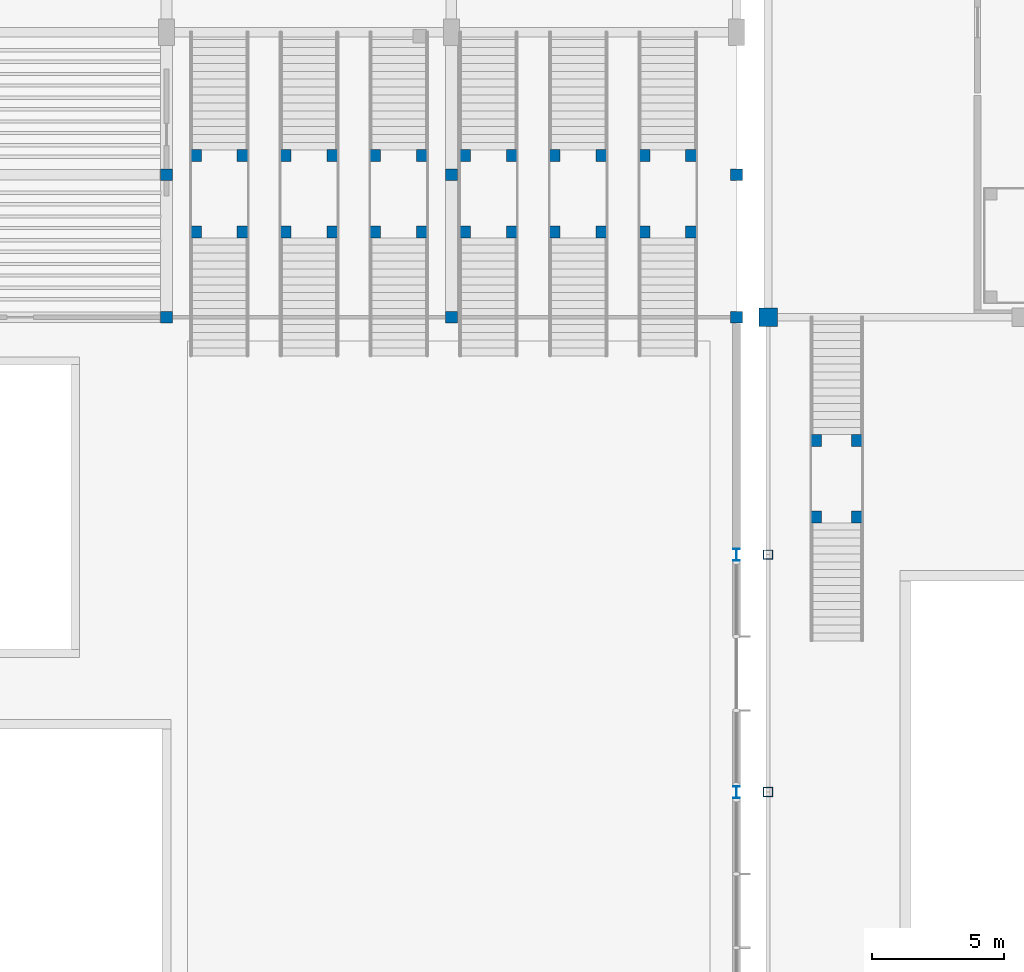
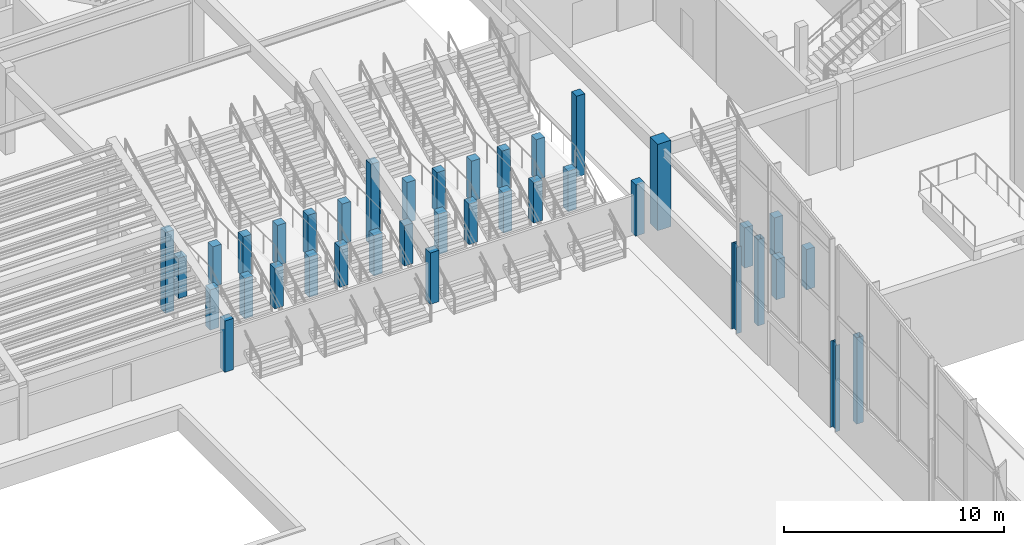
# One storey, part 13 of 82: 39 columns.
"""IFC4 building model written with IfcOpenShell, lengths in metres."""

from ifc_helpers import new_model, si_unit, direction, frame, origin, origin_2d, place, context, subcontext, project, spatial, rectangle, hollow_rectangle, i_section, extrude, material, material_profile, profile_set, type_object, element, save


model = new_model("IFC4")

# Units and contexts
model_context = context("Model", 3, precision=1e-05, world=origin(), true_north=direction((0.0, 1.0)))
body_context = subcontext(model_context, "Body", "Model", "MODEL_VIEW")
ifc_project = project(units=[si_unit("LENGTHUNIT", "METRE"), si_unit("AREAUNIT", "SQUARE_METRE"), si_unit("VOLUMEUNIT", "CUBIC_METRE"), si_unit("PLANEANGLEUNIT", "RADIAN"), si_unit("MASSUNIT", "GRAM", prefix="KILO")], contexts=[model_context])

# Site, building, storey
site_placement = place(None, origin())
site = spatial("IfcSite", under=ifc_project, at=site_placement, CompositionType="ELEMENT")
building_placement = place(site_placement, origin())
building = spatial("IfcBuilding", under=site, at=building_placement, Name="Suirenkawa Promenade Aquatics Centre", CompositionType="ELEMENT")
storey_placement = place(building_placement, origin())
storey = spatial("IfcBuildingStorey", under=building, at=storey_placement, Name="L00", CompositionType="ELEMENT", Elevation=0.0)

# Columns
ifc_material_1 = material(Name="Concrete M40", Category="concrete")
ifc_material_profile_1 = material_profile(ifc_material_1, rectangle(XDim=0.449951171875, YDim=0.449951171875, at=origin_2d()), Name="RC COL 450x450", Category="concrete")
ifc_profile_set_1 = profile_set([ifc_material_profile_1], Name="Concrete M40")
column_type_1 = type_object("IfcColumnType", Name="CT-RC-450", PredefinedType="COLUMN", material=ifc_profile_set_1)
column_1_placement = place(storey_placement, frame((133.199951171875, 86.39990234375, 0.0), z_axis=(0.0, 0.0, 1.0), x_axis=(1.0, 0.0, 0.0)))
element("IfcColumn", 1, at=column_1_placement, inside=storey, type_object=column_type_1, Name="Column CL-01 COL-0980", PredefinedType="COLUMN", context=body_context, shape_type="SweptSolid", body=[
    extrude(rectangle(XDim=0.449951171875, YDim=0.449951171875, at=origin_2d()), origin(), (0.0, 0.0, 1.0), 2.85009765625),
])
column_2_placement = place(storey_placement, frame((133.199951171875, 91.800048828125, 0.0), z_axis=(0.0, 0.0, 1.0), x_axis=(1.0, 0.0, 0.0)))
element("IfcColumn", 2, at=column_2_placement, inside=storey, type_object=column_type_1, Name="Column CL-01 COL-0982", PredefinedType="COLUMN", context=body_context, shape_type="SweptSolid", body=[
    extrude(rectangle(XDim=0.449951171875, YDim=0.449951171875, at=origin_2d()), origin(), (0.0, 0.0, 1.0), 4.5),
])
column_3_placement = place(storey_placement, frame((144.0, 86.39990234375, 0.0), z_axis=(0.0, 0.0, 1.0), x_axis=(1.0, 0.0, 0.0)))
element("IfcColumn", 3, at=column_3_placement, inside=storey, type_object=column_type_1, Name="Column CL-01 COL-0984", PredefinedType="COLUMN", context=body_context, shape_type="SweptSolid", body=[
    extrude(rectangle(XDim=0.449951171875, YDim=0.449951171875, at=origin_2d()), origin(), (0.0, 0.0, 1.0), 2.85009765625),
])
column_4_placement = place(storey_placement, frame((144.0, 91.800048828125, 0.0), z_axis=(0.0, 0.0, 1.0), x_axis=(1.0, 0.0, 0.0)))
element("IfcColumn", 4, at=column_4_placement, inside=storey, type_object=column_type_1, Name="Column CL-01 COL-0986", PredefinedType="COLUMN", context=body_context, shape_type="SweptSolid", body=[
    extrude(rectangle(XDim=0.449951171875, YDim=0.449951171875, at=origin_2d()), origin(), (0.0, 0.0, 1.0), 4.5),
])
column_5_placement = place(storey_placement, frame((154.800048828125, 86.39990234375, 0.0), z_axis=(0.0, 0.0, 1.0), x_axis=(1.0, 0.0, 0.0)))
element("IfcColumn", 5, at=column_5_placement, inside=storey, type_object=column_type_1, Name="Column CL-01 COL-0988", PredefinedType="COLUMN", context=body_context, shape_type="SweptSolid", body=[
    extrude(rectangle(XDim=0.449951171875, YDim=0.449951171875, at=origin_2d()), origin(), (0.0, 0.0, 1.0), 2.85009765625),
])
column_6_placement = place(storey_placement, frame((154.800048828125, 91.800048828125, 0.0), z_axis=(0.0, 0.0, 1.0), x_axis=(1.0, 0.0, 0.0)))
element("IfcColumn", 6, at=column_6_placement, inside=storey, type_object=column_type_1, Name="Column CL-01 COL-0990", PredefinedType="COLUMN", context=body_context, shape_type="SweptSolid", body=[
    extrude(rectangle(XDim=0.449951171875, YDim=0.449951171875, at=origin_2d()), origin(), (0.0, 0.0, 1.0), 4.5),
])
for number, where, z_axis, x_axis, name in (
    (7, (134.294921875, 89.625, 0.0), (0.0, 0.0, 1.0), (1.0, 0.0, 0.0), "Column CL-01 COL-1024"),
    (8, (134.294921875, 92.52490234375, 0.0), (0.0, 0.0, 1.0), (1.0, 0.0, 0.0), "Column CL-01 COL-1026"),
    (9, (136.10498046875, 89.625, 0.0), (0.0, 0.0, 1.0), (1.0, 0.0, 0.0), "Column CL-01 COL-1028"),
    (10, (136.10498046875, 92.52490234375, 0.0), (0.0, 0.0, 1.0), (1.0, 0.0, 0.0), "Column CL-01 COL-1030"),
    (11, (137.695068359375, 89.625, 0.0), (0.0, 0.0, 1.0), (1.0, 0.0, 0.0), "Column CL-01 COL-1032"),
    (12, (137.695068359375, 92.52490234375, 0.0), (0.0, 0.0, 1.0), (1.0, 0.0, 0.0), "Column CL-01 COL-1034"),
    (13, (139.5048828125, 89.625, 0.0), (0.0, 0.0, 1.0), (1.0, 0.0, 0.0), "Column CL-01 COL-1036"),
    (14, (139.5048828125, 92.52490234375, 0.0), (0.0, 0.0, 1.0), (1.0, 0.0, 0.0), "Column CL-01 COL-1038"),
    (15, (141.094970703125, 89.625, 0.0), (0.0, 0.0, 1.0), (1.0, 0.0, 0.0), "Column CL-01 COL-1040"),
    (16, (141.094970703125, 92.52490234375, 0.0), (0.0, 0.0, 1.0), (1.0, 0.0, 0.0), "Column CL-01 COL-1042"),
    (17, (142.905029296875, 89.625, 0.0), (0.0, 0.0, 1.0), (1.0, 0.0, 0.0), "Column CL-01 COL-1044"),
    (18, (142.905029296875, 92.52490234375, 0.0), (0.0, 0.0, 1.0), (1.0, 0.0, 0.0), "Column CL-01 COL-1046"),
    (19, (144.4951171875, 89.625, 0.0), (0.0, 0.0, 1.0), (1.0, 0.0, 0.0), "Column CL-01 COL-1048"),
    (20, (144.4951171875, 92.52490234375, 0.0), (0.0, 0.0, 1.0), (1.0, 0.0, 0.0), "Column CL-01 COL-1050"),
    (21, (146.304931640625, 89.625, 0.0), (0.0, 0.0, 1.0), (1.0, 0.0, 0.0), "Column CL-01 COL-1052"),
    (22, (146.304931640625, 92.52490234375, 0.0), (0.0, 0.0, 1.0), (1.0, 0.0, 0.0), "Column CL-01 COL-1054"),
    (23, (147.89501953125, 89.625, 0.0), (0.0, 0.0, 1.0), (1.0, 0.0, 0.0), "Column CL-01 COL-1056"),
    (24, (147.89501953125, 92.52490234375, 0.0), (0.0, 0.0, 1.0), (1.0, 0.0, 0.0), "Column CL-01 COL-1058"),
    (25, (149.705078125, 89.625, 0.0), (0.0, 0.0, 1.0), (1.0, 0.0, 0.0), "Column CL-01 COL-1060"),
    (26, (149.705078125, 92.52490234375, 0.0), (0.0, 0.0, 1.0), (1.0, 0.0, 0.0), "Column CL-01 COL-1062"),
    (27, (151.294921875, 89.625, 0.0), (0.0, 0.0, 1.0), (1.0, 0.0, 0.0), "Column CL-01 COL-1064"),
    (28, (151.294921875, 92.52490234375, 0.0), (0.0, 0.0, 1.0), (1.0, 0.0, 0.0), "Column CL-01 COL-1066"),
    (29, (153.10498046875, 89.625, 0.0), (0.0, 0.0, 1.0), (1.0, 0.0, 0.0), "Column CL-01 COL-1068"),
    (30, (153.10498046875, 92.52490234375, 0.0), (0.0, 0.0, 1.0), (1.0, 0.0, 0.0), "Column CL-01 COL-1070"),
    (31, (157.81005859375, 78.824951171875, 0.0), (0.0, 0.0, 1.0), (1.0, 0.0, 0.0), "Column CL-01 COL-1088"),
    (32, (157.81005859375, 81.72509765625, 0.0), (0.0, 0.0, 1.0), (1.0, 0.0, 0.0), "Column CL-01 COL-1090"),
    (33, (159.389892578125, 78.824951171875, 0.0), (0.0, 0.0, 1.0), (1.0, 0.0, 0.0), "Column CL-01 COL-1092"),
    (34, (159.389892578125, 81.72509765625, 0.0), (0.0, 0.0, 1.0), (1.0, 0.0, 0.0), "Column CL-01 COL-1094"),
):
    element("IfcColumn", number, at=place(storey_placement, frame(where, z_axis=z_axis, x_axis=x_axis)), inside=storey, type_object=column_type_1, Name=name, PredefinedType="COLUMN", context=body_context, shape_type="SweptSolid", body=[
        extrude(rectangle(XDim=0.449951171875, YDim=0.449951171875, at=origin_2d()), origin(), (0.0, 0.0, 1.0), 2.239990234375),
    ])
ifc_material_profile_2 = material_profile(ifc_material_1, rectangle(XDim=0.699951171875, YDim=0.699951171875, at=origin_2d()), Name="RC COL 700x700", Category="concrete")
ifc_profile_set_2 = profile_set([ifc_material_profile_2], Name="Concrete M40")
column_type_2 = type_object("IfcColumnType", Name="CT-RC-700", PredefinedType="COLUMN", material=ifc_profile_set_2)
column_7_placement = place(storey_placement, frame((156.0, 86.39990234375, 0.0), z_axis=(0.0, 0.0, 1.0), x_axis=(1.0, 0.0, 0.0)))
element("IfcColumn", 35, at=column_7_placement, inside=storey, type_object=column_type_2, Name="Column CL-04 COL-0413", PredefinedType="COLUMN", context=body_context, shape_type="SweptSolid", body=[
    extrude(rectangle(XDim=0.699951171875, YDim=0.699951171875, at=origin_2d()), origin(), (0.0, 0.0, 1.0), 4.800048828125),
])
ifc_material_2 = material(Name="Steel IS 2062 E350 (Grade 350)", Category="steel")
ifc_material_profile_3 = material_profile(ifc_material_2, i_section(OverallWidth=0.25, OverallDepth=0.449951171875, WebThickness=0.010986328125, FlangeThickness=0.013916015625, at=origin_2d()), Name="ISHB 450", Category="steel")
ifc_profile_set_3 = profile_set([ifc_material_profile_3], Name="Steel IS 2062 E350 (Grade 350)")
column_type_3 = type_object("IfcColumnType", Name="CT-STL-ISHB450", PredefinedType="COLUMN", material=ifc_profile_set_3)
for number, where, z_axis, x_axis, name in (
    (36, (154.800048828125, 68.39990234375, 0.0), (0.0, 0.0, 1.0), (1.0, 0.0, 0.0), "Column CL-13 COL-0798"),
    (37, (154.800048828125, 77.39990234375, 0.0), (0.0, 0.0, 1.0), (1.0, 0.0, 0.0), "Column CL-13 COL-0801"),
):
    element("IfcColumn", number, at=place(storey_placement, frame(where, z_axis=z_axis, x_axis=x_axis)), inside=storey, type_object=column_type_3, Name=name, PredefinedType="COLUMN", context=body_context, shape_type="SweptSolid", body=[
        extrude(i_section(OverallWidth=0.25, OverallDepth=0.449951171875, WebThickness=0.010986328125, FlangeThickness=0.013916015625, at=origin_2d()), origin(), (0.0, 0.0, 1.0), 4.800048828125),
    ])
ifc_material_profile_4 = material_profile(ifc_material_2, hollow_rectangle(XDim=0.35009765625, YDim=0.35009765625, WallThickness=0.01611328125, at=origin_2d()), Name="SHS 350x350x16", Category="steel")
ifc_profile_set_4 = profile_set([ifc_material_profile_4], Name="Steel IS 2062 E350 (Grade 350)")
column_type_4 = type_object("IfcColumnType", Name="CT-STL-SHS350", PredefinedType="COLUMN", material=ifc_profile_set_4)
for number, where, z_axis, x_axis, name in (
    (38, (156.0, 68.39990234375, 0.0), (0.0, 0.0, 1.0), (1.0, 0.0, 0.0), "Column CL-15 COL-0621"),
    (39, (156.0, 77.39990234375, 0.0), (0.0, 0.0, 1.0), (1.0, 0.0, 0.0), "Column CL-15 COL-0625"),
):
    element("IfcColumn", number, at=place(storey_placement, frame(where, z_axis=z_axis, x_axis=x_axis)), inside=storey, type_object=column_type_4, Name=name, PredefinedType="COLUMN", context=body_context, shape_type="SweptSolid", body=[
        extrude(hollow_rectangle(XDim=0.35009765625, YDim=0.35009765625, WallThickness=0.01611328125, at=origin_2d()), origin(), (0.0, 0.0, 1.0), 4.800048828125),
    ])

save(model, "model.ifc")
